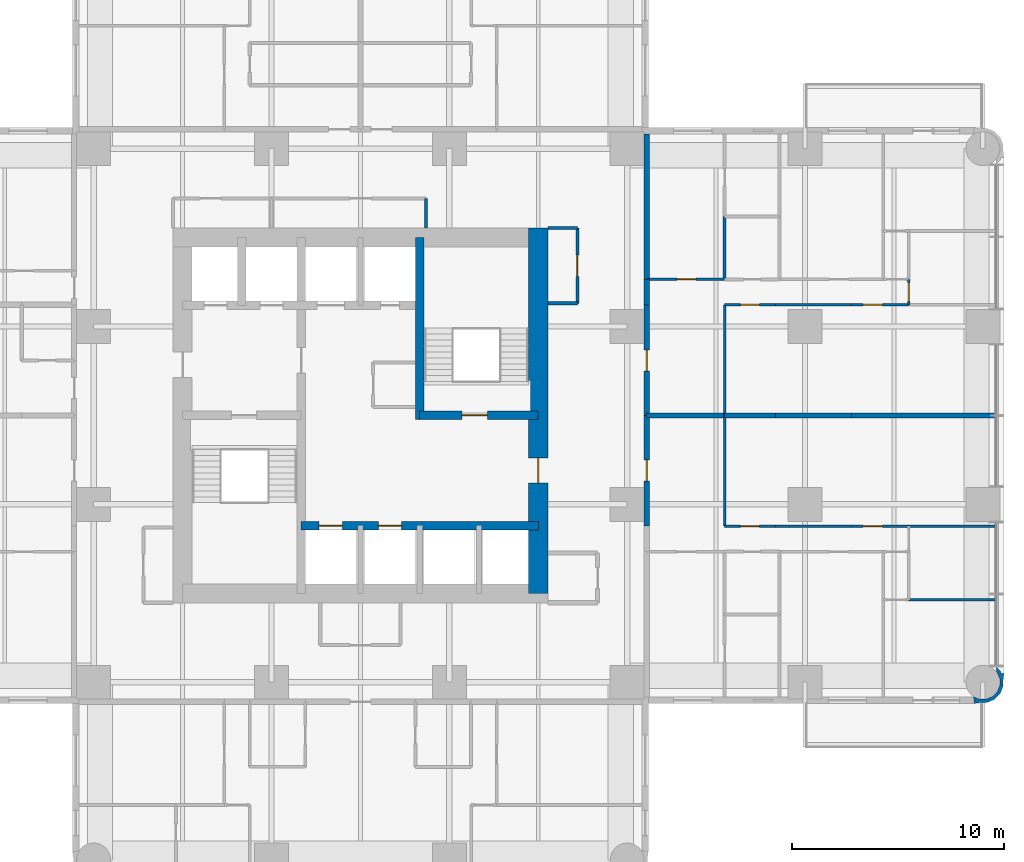
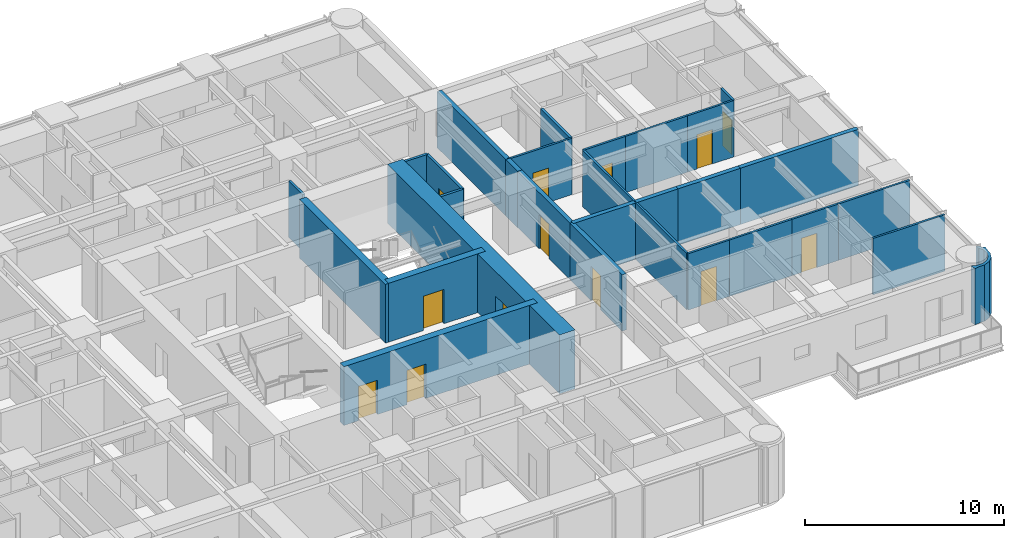
# One storey, part 10 of 15: 30 walls, 13 doors, 13 openings.
"""IFC4 building model written with IfcOpenShell, lengths in metres."""

from ifc_helpers import new_model, si_unit, direction, frame, frame_2d, origin, place, context, subcontext, project, spatial, polyline, rectangle, outline, extrude, material, layer, layer_set, type_object, element, fill, save


model = new_model("IFC4")

# Units and contexts
model_context = context("Model", 3, precision=1e-05, world=origin(), true_north=direction((0.0, 1.0)))
body_context = subcontext(model_context, "Body", "Model", "MODEL_VIEW")
ifc_project = project(units=[si_unit("LENGTHUNIT", "METRE"), si_unit("AREAUNIT", "SQUARE_METRE"), si_unit("VOLUMEUNIT", "CUBIC_METRE"), si_unit("PLANEANGLEUNIT", "RADIAN"), si_unit("MASSUNIT", "GRAM", prefix="KILO")], contexts=[model_context])

# Site, building, storey
site_placement = place(None, origin())
site = spatial("IfcSite", under=ifc_project, at=site_placement, CompositionType="ELEMENT")
building_placement = place(site_placement, origin())
building = spatial("IfcBuilding", under=site, at=building_placement, Name="Torre Alcanfor", CompositionType="ELEMENT")
storey_placement = place(building_placement, frame((0.0, 0.0, 123.300048828125)))
storey = spatial("IfcBuildingStorey", under=building, at=storey_placement, Name="L31", CompositionType="ELEMENT", Elevation=123.300048828125)

# Wall, opening, door
ifc_material_1 = material(Name="Concrete block masonry, hollow blocks NMX-C-404 9 MPa", Category="masonry")
ifc_layer_1 = layer(ifc_material_1, 0.25)
ifc_layer_set_1 = layer_set([ifc_layer_1], Name="Apartment entrance wall 250 EI 60")
wall_type_1 = type_object("IfcWallType", Name="Apartment entrance wall 250 EI 60", PredefinedType="PARTITIONING", material=ifc_layer_set_1)
wall_1_placement = place(storey_placement, frame((42.925048828125, 34.62890625, 0.0), z_axis=(0.0, 0.0, 1.0), x_axis=(0.0, -1.0, 0.0)))
wall_1 = element("IfcWall", 1, at=wall_1_placement, inside=storey, type_object=wall_type_1, Name="Partition L31-CORR / L31-E1-ZAG", PredefinedType="PARTITIONING", context=body_context, shape_type="SweptSolid", body=[
    extrude(rectangle(XDim=5.22900390625, YDim=0.25, at=frame_2d((2.614501953125, 0.0))), origin(), (0.0, 0.0, 1.0), 3.449951171875),
])
opening_1_placement = place(wall_1_placement, frame((2.12890625, 0.0, 0.0)))
opening_1 = element("IfcOpeningElement", 2, at=opening_1_placement, cuts=wall_1, Name="Opening D-A1", PredefinedType="OPENING", context=body_context, shape_type="SweptSolid", body=[
    extrude(rectangle(XDim=1.0, YDim=2.10009765625, at=frame_2d((0.5, 1.050048828125))), frame((0.0, 0.135009765625, 0.0), z_axis=(0.0, -1.0, 0.0), x_axis=(1.0, 0.0, 0.0)), (0.0, 0.0, 1.0), 0.27001953125),
])
ifc_material_2 = material(Name="Galvanised steel sheet ASTM A653", Category="steel")
door_type_1 = type_object("IfcDoorType", Name="Apartment entrance door FD60 1000x2100", OperationType="SINGLE_SWING_LEFT", PredefinedType="DOOR", material=ifc_material_2)
door_1_placement = place(opening_1_placement, origin())
door_1 = element("IfcDoor", 3, at=door_1_placement, inside=storey, type_object=door_type_1, Name="Apartment entrance L31-E1", OperationType="SINGLE_SWING_RIGHT", OverallHeight=2.10009765625, OverallWidth=1.0, PredefinedType="DOOR", context=body_context, shape_type="SweptSolid", body=[
    extrude(rectangle(XDim=1.0, YDim=2.10009765625, at=frame_2d((0.5, 1.050048828125))), frame((0.0, 0.02490234375, 0.0), z_axis=(0.0, -1.0, 0.0), x_axis=(1.0, 0.0, 0.0)), (0.0, 0.0, 1.0), 0.050048828125),
])
fill(opening_1, door_1)

# Walls
wall_2_placement = place(storey_placement, frame((42.925048828125, 35.8291015625, 0.0), z_axis=(0.0, 0.0, 1.0), x_axis=(0.0, -1.0, 0.0)))
element("IfcWall", 4, at=wall_2_placement, inside=storey, type_object=wall_type_1, Name="Partition L31-CORR / L31-E1-HALL", PredefinedType="PARTITIONING", context=body_context, shape_type="SweptSolid", body=[
    extrude(rectangle(XDim=1.2001953125, YDim=0.25, at=frame_2d((0.60009765625, 0.0))), origin(), (0.0, 0.0, 1.0), 3.449951171875),
])
wall_3_placement = place(storey_placement, frame((42.925048828125, 42.699951171875, 0.0), z_axis=(0.0, 0.0, 1.0), x_axis=(0.0, -1.0, 0.0)))
element("IfcWall", 5, at=wall_3_placement, inside=storey, type_object=wall_type_1, Name="Partition L31-CORR / L31-E1-SERV", PredefinedType="PARTITIONING", context=body_context, shape_type="SweptSolid", body=[
    extrude(rectangle(XDim=6.870849609375, YDim=0.25, at=frame_2d((3.435546875, 0.0))), origin(), (0.0, 0.0, 1.0), 3.449951171875),
])

# Wall, opening, door
wall_4_placement = place(storey_placement, frame((42.925048828125, 29.39990234375, 0.0), z_axis=(0.0, 0.0, 1.0), x_axis=(0.0, -1.0, 0.0)))
wall_4 = element("IfcWall", 6, at=wall_4_placement, inside=storey, type_object=wall_type_1, Name="Partition L31-CORR / L31-E2-ZAG", PredefinedType="PARTITIONING", context=body_context, shape_type="SweptSolid", body=[
    extrude(rectangle(XDim=5.22900390625, YDim=0.25, at=frame_2d((2.614501953125, 0.0))), origin(), (0.0, 0.0, 1.0), 3.449951171875),
])
opening_2_placement = place(wall_4_placement, frame((2.10009765625, 0.0, 0.0)))
opening_2 = element("IfcOpeningElement", 7, at=opening_2_placement, cuts=wall_4, Name="Opening D-A1", PredefinedType="OPENING", context=body_context, shape_type="SweptSolid", body=[
    extrude(rectangle(XDim=1.0, YDim=2.10009765625, at=frame_2d((0.5, 1.050048828125))), frame((0.0, 0.135009765625, 0.0), z_axis=(0.0, -1.0, 0.0), x_axis=(1.0, 0.0, 0.0)), (0.0, 0.0, 1.0), 0.27001953125),
])
door_2_placement = place(opening_2_placement, origin())
door_2 = element("IfcDoor", 8, at=door_2_placement, inside=storey, type_object=door_type_1, Name="Apartment entrance L31-E2", OperationType="SINGLE_SWING_LEFT", OverallHeight=2.10009765625, OverallWidth=1.0, PredefinedType="DOOR", context=body_context, shape_type="SweptSolid", body=[
    extrude(rectangle(XDim=1.0, YDim=2.10009765625, at=frame_2d((0.5, 1.050048828125))), frame((0.0, 0.02490234375, 0.0), z_axis=(0.0, -1.0, 0.0), x_axis=(1.0, 0.0, 0.0)), (0.0, 0.0, 1.0), 0.050048828125),
])
fill(opening_2, door_2)

# Wall
ifc_material_3 = material(Name="Gypsum board on steel studs", Category="steel")
ifc_layer_2 = layer(ifc_material_3, 0.1201171875)
ifc_layer_set_2 = layer_set([ifc_layer_2], Name="Apartment partition 120")
wall_type_2 = type_object("IfcWallType", Name="Apartment partition 120", PredefinedType="PARTITIONING", material=ifc_layer_set_2)
wall_5_placement = place(storey_placement, frame((46.60009765625, 29.39990234375, 0.0), z_axis=(0.0, 0.0, 1.0), x_axis=(0.0, 1.0, 0.0)))
element("IfcWall", 9, at=wall_5_placement, inside=storey, type_object=wall_type_2, Name="Partition L31-E1-ZAG / L31-E1-LAUND", PredefinedType="PARTITIONING", context=body_context, shape_type="SweptSolid", body=[
    extrude(rectangle(XDim=5.22900390625, YDim=0.1201171875, at=frame_2d((2.614501953125, 0.0))), origin(), (0.0, 0.0, 1.0), 3.449951171875),
])

# Wall, opening, door
wall_6_placement = place(storey_placement, frame((49.0, 34.62890625, 0.0), z_axis=(0.0, 0.0, 1.0), x_axis=(-1.0, 0.0, 0.0)))
wall_6 = element("IfcWall", 10, at=wall_6_placement, inside=storey, type_object=wall_type_2, Name="Partition L31-E1-LAUND / L31-E1-HALL", PredefinedType="PARTITIONING", context=body_context, shape_type="SweptSolid", body=[
    extrude(rectangle(XDim=2.39990234375, YDim=0.1201171875, at=frame_2d((1.199951171875, 0.0))), origin(), (0.0, 0.0, 1.0), 3.449951171875),
])
opening_3_placement = place(wall_6_placement, frame((0.75, 0.0, 0.0)))
opening_3 = element("IfcOpeningElement", 11, at=opening_3_placement, cuts=wall_6, Name="Opening D-R1", PredefinedType="OPENING", context=body_context, shape_type="SweptSolid", body=[
    extrude(rectangle(XDim=0.89990234375, YDim=2.10009765625, at=frame_2d((0.449951171875, 1.050048828125))), frame((0.0, 0.070068359375, 0.0), z_axis=(0.0, -1.0, 0.0), x_axis=(1.0, 0.0, 0.0)), (0.0, 0.0, 1.0), 0.14013671875),
])
ifc_material_4 = material(Name="Timber", Category="wood")
door_type_2 = type_object("IfcDoorType", Name="Internal door 900x2100", OperationType="SINGLE_SWING_LEFT", PredefinedType="DOOR", material=ifc_material_4)
door_3_placement = place(opening_3_placement, origin())
door_3 = element("IfcDoor", 12, at=door_3_placement, inside=storey, type_object=door_type_2, Name="Door L31-E1 laund", OperationType="SINGLE_SWING_LEFT", OverallHeight=2.10009765625, OverallWidth=0.89990234375, PredefinedType="DOOR", context=body_context, shape_type="SweptSolid", body=[
    extrude(rectangle(XDim=0.89990234375, YDim=2.10009765625, at=frame_2d((0.449951171875, 1.050048828125))), frame((0.0, 0.02490234375, 0.0), z_axis=(0.0, -1.0, 0.0), x_axis=(1.0, 0.0, 0.0)), (0.0, 0.0, 1.0), 0.050048828125),
])
fill(opening_3, door_3)

# Wall
wall_7_placement = place(storey_placement, frame((52.60009765625, 34.62890625, 0.0), z_axis=(0.0, 0.0, 1.0), x_axis=(-1.0, 0.0, 0.0)))
element("IfcWall", 13, at=wall_7_placement, inside=storey, type_object=wall_type_2, Name="Partition L31-E1-KITCHEN / L31-E1-HALL", PredefinedType="PARTITIONING", context=body_context, shape_type="SweptSolid", body=[
    extrude(rectangle(XDim=3.60009765625, YDim=0.1201171875, at=frame_2d((1.800048828125, 0.0))), origin(), (0.0, 0.0, 1.0), 3.449951171875),
])

# Wall, opening, door
wall_8_placement = place(storey_placement, frame((55.300048828125, 34.62890625, 0.0), z_axis=(0.0, 0.0, 1.0), x_axis=(-1.0, 0.0, 0.0)))
wall_8 = element("IfcWall", 14, at=wall_8_placement, inside=storey, type_object=wall_type_2, Name="Partition L31-E1-LIVING / L31-E1-HALL", PredefinedType="PARTITIONING", context=body_context, shape_type="SweptSolid", body=[
    extrude(rectangle(XDim=2.699951171875, YDim=0.1201171875, at=frame_2d((1.35009765625, 0.0))), origin(), (0.0, 0.0, 1.0), 3.449951171875),
])
opening_4_placement = place(wall_8_placement, frame((1.25, 0.0, 0.0)))
opening_4 = element("IfcOpeningElement", 15, at=opening_4_placement, cuts=wall_8, Name="Opening D-R1", PredefinedType="OPENING", context=body_context, shape_type="SweptSolid", body=[
    extrude(rectangle(XDim=0.89990234375, YDim=2.10009765625, at=frame_2d((0.449951171875, 1.050048828125))), frame((0.0, 0.070068359375, 0.0), z_axis=(0.0, -1.0, 0.0), x_axis=(1.0, 0.0, 0.0)), (0.0, 0.0, 1.0), 0.14013671875),
])
door_4_placement = place(opening_4_placement, origin())
door_4 = element("IfcDoor", 16, at=door_4_placement, inside=storey, type_object=door_type_2, Name="Door L31-E1 living", OperationType="SINGLE_SWING_RIGHT", OverallHeight=2.10009765625, OverallWidth=0.89990234375, PredefinedType="DOOR", context=body_context, shape_type="SweptSolid", body=[
    extrude(rectangle(XDim=0.89990234375, YDim=2.10009765625, at=frame_2d((0.449951171875, 1.050048828125))), frame((0.0, 0.02490234375, 0.0), z_axis=(0.0, -1.0, 0.0), x_axis=(1.0, 0.0, 0.0)), (0.0, 0.0, 1.0), 0.050048828125),
])
fill(opening_4, door_4)

wall_9_placement = place(storey_placement, frame((46.60009765625, 35.8291015625, 0.0), z_axis=(0.0, 0.0, 1.0), x_axis=(-1.0, 0.0, 0.0)))
wall_9 = element("IfcWall", 17, at=wall_9_placement, inside=storey, type_object=wall_type_2, Name="Partition L31-E1-HALL / L31-E1-SERV", PredefinedType="PARTITIONING", context=body_context, shape_type="SweptSolid", body=[
    extrude(rectangle(XDim=3.675048828125, YDim=0.1201171875, at=frame_2d((1.83740234375, 0.0))), origin(), (0.0, 0.0, 1.0), 3.449951171875),
])
opening_5_placement = place(wall_9_placement, frame((1.35009765625, 0.0, 0.0)))
opening_5 = element("IfcOpeningElement", 18, at=opening_5_placement, cuts=wall_9, Name="Opening D-R1", PredefinedType="OPENING", context=body_context, shape_type="SweptSolid", body=[
    extrude(rectangle(XDim=0.89990234375, YDim=2.10009765625, at=frame_2d((0.449951171875, 1.050048828125))), frame((0.0, 0.070068359375, 0.0), z_axis=(0.0, -1.0, 0.0), x_axis=(1.0, 0.0, 0.0)), (0.0, 0.0, 1.0), 0.14013671875),
])
door_5_placement = place(opening_5_placement, frame((0.89990234375, 0.0, 0.0), z_axis=(0.0, 0.0, 1.0), x_axis=(-1.0, 0.0, 0.0)))
door_5 = element("IfcDoor", 19, at=door_5_placement, inside=storey, type_object=door_type_2, Name="Door L31-E1 serv", OperationType="SINGLE_SWING_RIGHT", OverallHeight=2.10009765625, OverallWidth=0.89990234375, PredefinedType="DOOR", context=body_context, shape_type="SweptSolid", body=[
    extrude(rectangle(XDim=0.89990234375, YDim=2.10009765625, at=frame_2d((0.449951171875, 1.050048828125))), frame((0.0, 0.025146484375, 0.0), z_axis=(0.0, -1.0, 0.0), x_axis=(1.0, 0.0, 0.0)), (0.0, 0.0, 1.0), 0.050048828125),
])
fill(opening_5, door_5)

wall_10_placement = place(storey_placement, frame((55.300048828125, 34.62890625, 0.0), z_axis=(0.0, 0.0, 1.0), x_axis=(0.0, 1.0, 0.0)))
wall_10 = element("IfcWall", 20, at=wall_10_placement, inside=storey, type_object=wall_type_2, Name="Partition L31-E1-HALL / L31-E1-BED2", PredefinedType="PARTITIONING", context=body_context, shape_type="SweptSolid", body=[
    extrude(rectangle(XDim=1.2001953125, YDim=0.1201171875, at=frame_2d((0.60009765625, 0.0))), origin(), (0.0, 0.0, 1.0), 3.449951171875),
])
opening_6_placement = place(wall_10_placement, frame((0.15087890625, 0.0, 0.0)))
opening_6 = element("IfcOpeningElement", 21, at=opening_6_placement, cuts=wall_10, Name="Opening D-R1", PredefinedType="OPENING", context=body_context, shape_type="SweptSolid", body=[
    extrude(rectangle(XDim=0.89990234375, YDim=2.10009765625, at=frame_2d((0.449951171875, 1.050048828125))), frame((0.0, 0.070068359375, 0.0), z_axis=(0.0, -1.0, 0.0), x_axis=(1.0, 0.0, 0.0)), (0.0, 0.0, 1.0), 0.14013671875),
])
door_6_placement = place(opening_6_placement, frame((0.89990234375, 0.0, 0.0), z_axis=(0.0, 0.0, 1.0), x_axis=(-1.0, 0.0, 0.0)))
door_6 = element("IfcDoor", 22, at=door_6_placement, inside=storey, type_object=door_type_2, Name="Door L31-E1 bed2", OperationType="SINGLE_SWING_RIGHT", OverallHeight=2.10009765625, OverallWidth=0.89990234375, PredefinedType="DOOR", context=body_context, shape_type="SweptSolid", body=[
    extrude(rectangle(XDim=0.89990234375, YDim=2.10009765625, at=frame_2d((0.449951171875, 1.050048828125))), frame((0.0, 0.025146484375, 0.0), z_axis=(0.0, -1.0, 0.0), x_axis=(1.0, 0.0, 0.0)), (0.0, 0.0, 1.0), 0.050048828125),
])
fill(opening_6, door_6)

# Wall
wall_11_placement = place(storey_placement, frame((46.60009765625, 29.39990234375, 0.0), z_axis=(0.0, 0.0, 1.0), x_axis=(0.0, -1.0, 0.0)))
element("IfcWall", 23, at=wall_11_placement, inside=storey, type_object=wall_type_2, Name="Partition L31-E2-ZAG / L31-E2-LAUND", PredefinedType="PARTITIONING", context=body_context, shape_type="SweptSolid", body=[
    extrude(rectangle(XDim=5.22900390625, YDim=0.1201171875, at=frame_2d((2.614501953125, 0.0))), origin(), (0.0, 0.0, 1.0), 3.449951171875),
])

# Wall, opening, door
wall_12_placement = place(storey_placement, frame((49.0, 24.1708984375, 0.0), z_axis=(0.0, 0.0, 1.0), x_axis=(-1.0, 0.0, 0.0)))
wall_12 = element("IfcWall", 24, at=wall_12_placement, inside=storey, type_object=wall_type_2, Name="Partition L31-E2-LAUND / L31-E2-HALL", PredefinedType="PARTITIONING", context=body_context, shape_type="SweptSolid", body=[
    extrude(rectangle(XDim=2.39990234375, YDim=0.1201171875, at=frame_2d((1.199951171875, 0.0))), origin(), (0.0, 0.0, 1.0), 3.449951171875),
])
opening_7_placement = place(wall_12_placement, frame((0.75, 0.0, 0.0)))
opening_7 = element("IfcOpeningElement", 25, at=opening_7_placement, cuts=wall_12, Name="Opening D-R1", PredefinedType="OPENING", context=body_context, shape_type="SweptSolid", body=[
    extrude(rectangle(XDim=0.89990234375, YDim=2.10009765625, at=frame_2d((0.449951171875, 1.050048828125))), frame((0.0, 0.070068359375, 0.0), z_axis=(0.0, -1.0, 0.0), x_axis=(1.0, 0.0, 0.0)), (0.0, 0.0, 1.0), 0.14013671875),
])
door_7_placement = place(opening_7_placement, frame((0.89990234375, 0.0, 0.0), z_axis=(0.0, 0.0, 1.0), x_axis=(-1.0, 0.0, 0.0)))
door_7 = element("IfcDoor", 26, at=door_7_placement, inside=storey, type_object=door_type_2, Name="Door L31-E2 laund", OperationType="SINGLE_SWING_RIGHT", OverallHeight=2.10009765625, OverallWidth=0.89990234375, PredefinedType="DOOR", context=body_context, shape_type="SweptSolid", body=[
    extrude(rectangle(XDim=0.89990234375, YDim=2.10009765625, at=frame_2d((0.449951171875, 1.050048828125))), frame((0.0, 0.025146484375, 0.0), z_axis=(0.0, -1.0, 0.0), x_axis=(1.0, 0.0, 0.0)), (0.0, 0.0, 1.0), 0.050048828125),
])
fill(opening_7, door_7)

# Wall
wall_13_placement = place(storey_placement, frame((52.60009765625, 24.1708984375, 0.0), z_axis=(0.0, 0.0, 1.0), x_axis=(-1.0, 0.0, 0.0)))
element("IfcWall", 27, at=wall_13_placement, inside=storey, type_object=wall_type_2, Name="Partition L31-E2-KITCHEN / L31-E2-HALL", PredefinedType="PARTITIONING", context=body_context, shape_type="SweptSolid", body=[
    extrude(rectangle(XDim=3.60009765625, YDim=0.1201171875, at=frame_2d((1.800048828125, 0.0))), origin(), (0.0, 0.0, 1.0), 3.449951171875),
])

# Wall, opening, door
wall_14_placement = place(storey_placement, frame((55.300048828125, 24.1708984375, 0.0), z_axis=(0.0, 0.0, 1.0), x_axis=(-1.0, 0.0, 0.0)))
wall_14 = element("IfcWall", 28, at=wall_14_placement, inside=storey, type_object=wall_type_2, Name="Partition L31-E2-LIVING / L31-E2-HALL", PredefinedType="PARTITIONING", context=body_context, shape_type="SweptSolid", body=[
    extrude(rectangle(XDim=2.699951171875, YDim=0.1201171875, at=frame_2d((1.35009765625, 0.0))), origin(), (0.0, 0.0, 1.0), 3.449951171875),
])
opening_8_placement = place(wall_14_placement, frame((1.25, 0.0, 0.0)))
opening_8 = element("IfcOpeningElement", 29, at=opening_8_placement, cuts=wall_14, Name="Opening D-R1", PredefinedType="OPENING", context=body_context, shape_type="SweptSolid", body=[
    extrude(rectangle(XDim=0.89990234375, YDim=2.10009765625, at=frame_2d((0.449951171875, 1.050048828125))), frame((0.0, 0.070068359375, 0.0), z_axis=(0.0, -1.0, 0.0), x_axis=(1.0, 0.0, 0.0)), (0.0, 0.0, 1.0), 0.14013671875),
])
door_8_placement = place(opening_8_placement, frame((0.89990234375, 0.0, 0.0), z_axis=(0.0, 0.0, 1.0), x_axis=(-1.0, 0.0, 0.0)))
door_8 = element("IfcDoor", 30, at=door_8_placement, inside=storey, type_object=door_type_2, Name="Door L31-E2 living", OperationType="SINGLE_SWING_LEFT", OverallHeight=2.10009765625, OverallWidth=0.89990234375, PredefinedType="DOOR", context=body_context, shape_type="SweptSolid", body=[
    extrude(rectangle(XDim=0.89990234375, YDim=2.10009765625, at=frame_2d((0.449951171875, 1.050048828125))), frame((0.0, 0.025146484375, 0.0), z_axis=(0.0, -1.0, 0.0), x_axis=(1.0, 0.0, 0.0)), (0.0, 0.0, 1.0), 0.050048828125),
])
fill(opening_8, door_8)

# Walls
for number, where, z_axis, x_axis, name in (
    (31, (59.449951171875, 24.1708984375, 0.0), (0.0, 0.0, 1.0), (-1.0, 0.0, 0.0), "Partition L31-E2-LIVING / L31-E2-BED2"),
    (32, (59.449951171875, 20.68603515625, 0.0), (0.0, 0.0, 1.0), (-1.0, 0.0, 0.0), "Partition L31-E2-BED2 / L31-E2-MASTER"),
):
    element("IfcWall", number, at=place(storey_placement, frame(where, z_axis=z_axis, x_axis=x_axis)), inside=storey, type_object=wall_type_2, Name=name, PredefinedType="PARTITIONING", context=body_context, shape_type="SweptSolid", body=[
        extrude(rectangle(XDim=4.14990234375, YDim=0.1201171875, at=frame_2d((2.074951171875, 0.0))), origin(), (0.0, 0.0, 1.0), 3.449951171875),
    ])

# Wall, openings, doors
ifc_material_5 = material(Name="Concrete f'c 70 MPa", Category="concrete")
ifc_layer_3 = layer(ifc_material_5, 0.39990234375)
ifc_layer_set_3 = layer_set([ifc_layer_3], Name="Core inner wall 400 f'c70")
wall_type_3 = type_object("IfcWallType", Name="Core inner wall 400 f'c70", PredefinedType="SHEAR", material=ifc_layer_set_3)
wall_15_placement = place(storey_placement, frame((26.60009765625, 24.199951171875, 0.0), z_axis=(0.0, 0.0, 1.0), x_axis=(1.0, 0.0, 0.0)))
wall_15 = element("IfcWall", 33, at=wall_15_placement, inside=storey, type_object=wall_type_3, Name="Core wall Y242 L31", PredefinedType="SHEAR", context=body_context, shape_type="SweptSolid", body=[
    extrude(rectangle(XDim=11.199951171875, YDim=0.39990234375, at=frame_2d((5.60009765625, 0.0))), origin(), (0.0, 0.0, 1.0), 3.599853515625),
])
opening_9_placement = place(wall_15_placement, frame((0.85009765625, 0.0, 0.0)))
opening_9 = element("IfcOpeningElement", 34, at=opening_9_placement, cuts=wall_15, Name="Opening LD1", PredefinedType="OPENING", context=body_context, shape_type="SweptSolid", body=[
    extrude(rectangle(XDim=1.10009765625, YDim=2.10009765625, at=frame_2d((0.550048828125, 1.050048828125))), frame((0.0, 0.2099609375, 0.0), z_axis=(0.0, -1.0, 0.0), x_axis=(1.0, 0.0, 0.0)), (0.0, 0.0, 1.0), 0.419921875),
])
opening_10_placement = place(wall_15_placement, frame((3.64990234375, 0.0, 0.0)))
opening_10 = element("IfcOpeningElement", 35, at=opening_10_placement, cuts=wall_15, Name="Opening LD1", PredefinedType="OPENING", context=body_context, shape_type="SweptSolid", body=[
    extrude(rectangle(XDim=1.10009765625, YDim=2.10009765625, at=frame_2d((0.550048828125, 1.050048828125))), frame((0.0, 0.2099609375, 0.0), z_axis=(0.0, -1.0, 0.0), x_axis=(1.0, 0.0, 0.0)), (0.0, 0.0, 1.0), 0.419921875),
])
ifc_material_6 = material(Name="Galvanised steel sheet ASTM A653", Category="steel")
door_type_3 = type_object("IfcDoorType", Name="Lift landing door 1100x2100", OperationType="DOUBLE_DOOR_SLIDING", PredefinedType="DOOR", material=ifc_material_6)
door_9_placement = place(opening_9_placement, origin())
door_9 = element("IfcDoor", 36, at=door_9_placement, inside=storey, type_object=door_type_3, Name="Lift landing door PA1 L31", OperationType="DOUBLE_DOOR_SLIDING", OverallHeight=2.10009765625, OverallWidth=1.10009765625, PredefinedType="DOOR", context=body_context, shape_type="SweptSolid", body=[
    extrude(rectangle(XDim=1.10009765625, YDim=2.10009765625, at=frame_2d((0.550048828125, 1.050048828125))), frame((0.0, 0.02490234375, 0.0), z_axis=(0.0, -1.0, 0.0), x_axis=(1.0, 0.0, 0.0)), (0.0, 0.0, 1.0), 0.050048828125),
])
fill(opening_9, door_9)
door_10_placement = place(opening_10_placement, origin())
door_10 = element("IfcDoor", 37, at=door_10_placement, inside=storey, type_object=door_type_3, Name="Lift landing door PA2 L31", OperationType="DOUBLE_DOOR_SLIDING", OverallHeight=2.10009765625, OverallWidth=1.10009765625, PredefinedType="DOOR", context=body_context, shape_type="SweptSolid", body=[
    extrude(rectangle(XDim=1.10009765625, YDim=2.10009765625, at=frame_2d((0.550048828125, 1.050048828125))), frame((0.0, 0.02490234375, 0.0), z_axis=(0.0, -1.0, 0.0), x_axis=(1.0, 0.0, 0.0)), (0.0, 0.0, 1.0), 0.050048828125),
])
fill(opening_10, door_10)

# Wall
wall_16_placement = place(storey_placement, frame((32.199951171875, 29.199951171875, 0.0), z_axis=(0.0, 0.0, 1.0), x_axis=(0.0, 1.0, 0.0)))
element("IfcWall", 38, at=wall_16_placement, inside=storey, type_object=wall_type_3, Name="Core wall X322N L31", PredefinedType="SHEAR", context=body_context, shape_type="SweptSolid", body=[
    extrude(rectangle(XDim=8.60009765625, YDim=0.39990234375, at=frame_2d((4.300048828125, 0.0))), origin(), (0.0, 0.0, 1.0), 3.599853515625),
])

# Wall, opening, door
wall_17_placement = place(storey_placement, frame((32.199951171875, 29.39990234375, 0.0), z_axis=(0.0, 0.0, 1.0), x_axis=(1.0, 0.0, 0.0)))
wall_17 = element("IfcWall", 39, at=wall_17_placement, inside=storey, type_object=wall_type_3, Name="Core wall Y294E L31", PredefinedType="SHEAR", context=body_context, shape_type="SweptSolid", body=[
    extrude(rectangle(XDim=5.60009765625, YDim=0.39990234375, at=frame_2d((2.800048828125, 0.0))), origin(), (0.0, 0.0, 1.0), 3.599853515625),
])
opening_11_placement = place(wall_17_placement, frame((2.0, 0.0, 0.0)))
opening_11 = element("IfcOpeningElement", 40, at=opening_11_placement, cuts=wall_17, Name="Opening D-S2", PredefinedType="OPENING", context=body_context, shape_type="SweptSolid", body=[
    extrude(rectangle(XDim=1.199951171875, YDim=2.10009765625, at=frame_2d((0.60009765625, 1.050048828125))), frame((0.0, 0.2099609375, 0.0), z_axis=(0.0, -1.0, 0.0), x_axis=(1.0, 0.0, 0.0)), (0.0, 0.0, 1.0), 0.419921875),
])
ifc_material_7 = material(Name="Galvanised steel sheet ASTM A653", Category="steel")
door_type_4 = type_object("IfcDoorType", Name="Stair enclosure door FD120 1200x2100", OperationType="SINGLE_SWING_LEFT", PredefinedType="DOOR", material=ifc_material_7)
door_11_placement = place(opening_11_placement, origin())
door_11 = element("IfcDoor", 41, at=door_11_placement, inside=storey, type_object=door_type_4, Name="Stair S2 door L31", OperationType="SINGLE_SWING_LEFT", OverallHeight=2.10009765625, OverallWidth=1.199951171875, PredefinedType="DOOR", context=body_context, shape_type="SweptSolid", body=[
    extrude(rectangle(XDim=1.199951171875, YDim=2.10009765625, at=frame_2d((0.60009765625, 1.050048828125))), frame((0.0, 0.02490234375, 0.0), z_axis=(0.0, -1.0, 0.0), x_axis=(1.0, 0.0, 0.0)), (0.0, 0.0, 1.0), 0.050048828125),
])
fill(opening_11, door_11)

ifc_material_8 = material(Name="Concrete f'c 70 MPa", Category="concrete")
ifc_layer_4 = layer(ifc_material_8, 0.89990234375)
ifc_layer_set_4 = layer_set([ifc_layer_4], Name="Core wall 900 f'c70")
wall_type_4 = type_object("IfcWallType", Name="Core wall 900 f'c70", PredefinedType="SHEAR", material=ifc_layer_set_4)
wall_18_placement = place(storey_placement, frame((37.800048828125, 21.0, 0.0), z_axis=(0.0, 0.0, 1.0), x_axis=(0.0, 1.0, 0.0)))
wall_18 = element("IfcWall", 42, at=wall_18_placement, inside=storey, type_object=wall_type_4, Name="Core wall OUT-E L31", PredefinedType="SHEAR", context=body_context, shape_type="SweptSolid", body=[
    extrude(rectangle(XDim=17.25, YDim=0.89990234375, at=frame_2d((8.625, 0.0))), origin(), (0.0, 0.0, 1.0), 3.599853515625),
])
opening_12_placement = place(wall_18_placement, frame((5.199951171875, 0.0, 0.0)))
opening_12 = element("IfcOpeningElement", 43, at=opening_12_placement, cuts=wall_18, Name="Opening D-L1", PredefinedType="OPENING", context=body_context, shape_type="SweptSolid", body=[
    extrude(rectangle(XDim=1.199951171875, YDim=2.10009765625, at=frame_2d((0.60009765625, 1.050048828125))), frame((0.0, 0.4599609375, 0.0), z_axis=(0.0, -1.0, 0.0), x_axis=(1.0, 0.0, 0.0)), (0.0, 0.0, 1.0), 0.919921875),
])
ifc_material_9 = material(Name="Galvanised steel sheet ASTM A653", Category="steel")
door_type_5 = type_object("IfcDoorType", Name="Lobby door FD120 1200x2100", OperationType="SINGLE_SWING_LEFT", PredefinedType="DOOR", material=ifc_material_9)
door_12_placement = place(opening_12_placement, origin())
door_12 = element("IfcDoor", 44, at=door_12_placement, inside=storey, type_object=door_type_5, Name="Lift lobby entrance door L31", OperationType="SINGLE_SWING_LEFT", OverallHeight=2.10009765625, OverallWidth=1.199951171875, PredefinedType="DOOR", context=body_context, shape_type="SweptSolid", body=[
    extrude(rectangle(XDim=1.199951171875, YDim=2.10009765625, at=frame_2d((0.60009765625, 1.050048828125))), frame((0.0, 0.02490234375, 0.0), z_axis=(0.0, -1.0, 0.0), x_axis=(1.0, 0.0, 0.0)), (0.0, 0.0, 1.0), 0.050048828125),
])
fill(opening_12, door_12)

# Walls
ifc_material_10 = material(Name="Concrete block masonry, hollow blocks NMX-C-404 9 MPa", Category="masonry")
ifc_layer_5 = layer(ifc_material_10, 0.25)
ifc_layer_set_5 = layer_set([ifc_layer_5], Name="Party wall 250 EI 60")
wall_type_5 = type_object("IfcWallType", Name="Party wall 250 EI 60", PredefinedType="PARTITIONING", material=ifc_layer_set_5)
wall_19_placement = place(storey_placement, frame((42.925048828125, 29.39990234375, 0.0), z_axis=(0.0, 0.0, 1.0), x_axis=(1.0, 0.0, 0.0)))
element("IfcWall", 45, at=wall_19_placement, inside=storey, type_object=wall_type_5, Name="Partition L31-E1-ZAG / L31-E2-ZAG", PredefinedType="PARTITIONING", context=body_context, shape_type="SweptSolid", body=[
    extrude(rectangle(XDim=3.675048828125, YDim=0.25, at=frame_2d((1.83740234375, 0.0))), origin(), (0.0, 0.0, 1.0), 3.449951171875),
])
wall_20_placement = place(storey_placement, frame((46.60009765625, 29.39990234375, 0.0), z_axis=(0.0, 0.0, 1.0), x_axis=(1.0, 0.0, 0.0)))
element("IfcWall", 46, at=wall_20_placement, inside=storey, type_object=wall_type_5, Name="Partition L31-E1-LAUND / L31-E2-LAUND", PredefinedType="PARTITIONING", context=body_context, shape_type="SweptSolid", body=[
    extrude(rectangle(XDim=2.39990234375, YDim=0.25, at=frame_2d((1.199951171875, 0.0))), origin(), (0.0, 0.0, 1.0), 3.449951171875),
])
wall_21_placement = place(storey_placement, frame((49.0, 29.39990234375, 0.0), z_axis=(0.0, 0.0, 1.0), x_axis=(1.0, 0.0, 0.0)))
element("IfcWall", 47, at=wall_21_placement, inside=storey, type_object=wall_type_5, Name="Partition L31-E1-KITCHEN / L31-E2-KITCHEN", PredefinedType="PARTITIONING", context=body_context, shape_type="SweptSolid", body=[
    extrude(rectangle(XDim=3.60009765625, YDim=0.25, at=frame_2d((1.800048828125, 0.0))), origin(), (0.0, 0.0, 1.0), 3.449951171875),
])
wall_22_placement = place(storey_placement, frame((52.60009765625, 29.39990234375, 0.0), z_axis=(0.0, 0.0, 1.0), x_axis=(1.0, 0.0, 0.0)))
element("IfcWall", 48, at=wall_22_placement, inside=storey, type_object=wall_type_5, Name="Partition L31-E1-LIVING / L31-E2-LIVING", PredefinedType="PARTITIONING", context=body_context, shape_type="SweptSolid", body=[
    extrude(rectangle(XDim=6.849853515625, YDim=0.25, at=frame_2d((3.4248046875, 0.0))), origin(), (0.0, 0.0, 1.0), 3.449951171875),
])
ifc_material_11 = material(Name="Concrete block masonry, hollow blocks NMX-C-404 9 MPa", Category="masonry")
ifc_layer_6 = layer(ifc_material_11, 0.14990234375)
ifc_layer_set_6 = layer_set([ifc_layer_6], Name="Residents' room partition 150")
wall_type_6 = type_object("IfcWallType", Name="Residents' room partition 150", PredefinedType="PARTITIONING", material=ifc_layer_set_6)
for number, where, z_axis, x_axis, name in (
    (49, (32.5, 38.25, 0.0), (0.0, 0.0, 1.0), (0.0, 1.0, 0.0), "Partition L31-CORR / L31-G02"),
    (50, (38.25, 34.699951171875, 0.0), (0.0, 0.0, 1.0), (1.0, 0.0, 0.0), "Partition L31-CORR / L31-G04"),
):
    element("IfcWall", number, at=place(storey_placement, frame(where, z_axis=z_axis, x_axis=x_axis)), inside=storey, type_object=wall_type_6, Name=name, PredefinedType="PARTITIONING", context=body_context, shape_type="SweptSolid", body=[
        extrude(rectangle(XDim=1.39990234375, YDim=0.14990234375, at=frame_2d((0.699951171875, 0.0))), origin(), (0.0, 0.0, 1.0), 3.449951171875),
    ])

# Wall, opening, door
wall_23_placement = place(storey_placement, frame((39.64990234375, 34.699951171875, 0.0), z_axis=(0.0, 0.0, 1.0), x_axis=(0.0, 1.0, 0.0)))
wall_23 = element("IfcWall", 51, at=wall_23_placement, inside=storey, type_object=wall_type_6, Name="Partition L31-CORR / L31-G04", PredefinedType="PARTITIONING", context=body_context, shape_type="SweptSolid", body=[
    extrude(rectangle(XDim=3.550048828125, YDim=0.14990234375, at=frame_2d((1.77490234375, 0.0))), origin(), (0.0, 0.0, 1.0), 3.449951171875),
])
opening_13_placement = place(wall_23_placement, frame((1.27490234375, 0.0, 0.0)))
opening_13 = element("IfcOpeningElement", 52, at=opening_13_placement, cuts=wall_23, Name="Opening D-M1", PredefinedType="OPENING", context=body_context, shape_type="SweptSolid", body=[
    extrude(rectangle(XDim=1.0, YDim=2.10009765625, at=frame_2d((0.5, 1.050048828125))), frame((0.0, 0.0849609375, 0.0), z_axis=(0.0, -1.0, 0.0), x_axis=(1.0, 0.0, 0.0)), (0.0, 0.0, 1.0), 0.169921875),
])
ifc_material_12 = material(Name="Timber", Category="wood")
door_type_6 = type_object("IfcDoorType", Name="Residents' room door 1000x2100", OperationType="SINGLE_SWING_LEFT", PredefinedType="DOOR", material=ifc_material_12)
door_13_placement = place(opening_13_placement, origin())
door_13 = element("IfcDoor", 53, at=door_13_placement, inside=storey, type_object=door_type_6, Name="Door L31-G04 pram and buggy store", OperationType="SINGLE_SWING_LEFT", OverallHeight=2.10009765625, OverallWidth=1.0, PredefinedType="DOOR", context=body_context, shape_type="SweptSolid", body=[
    extrude(rectangle(XDim=1.0, YDim=2.10009765625, at=frame_2d((0.5, 1.050048828125))), frame((0.0, 0.02490234375, 0.0), z_axis=(0.0, -1.0, 0.0), x_axis=(1.0, 0.0, 0.0)), (0.0, 0.0, 1.0), 0.050048828125),
])
fill(opening_13, door_13)

# Walls
wall_24_placement = place(storey_placement, frame((39.64990234375, 38.25, 0.0), z_axis=(0.0, 0.0, 1.0), x_axis=(-1.0, 0.0, 0.0)))
element("IfcWall", 54, at=wall_24_placement, inside=storey, type_object=wall_type_6, Name="Partition L31-CORR / L31-G04", PredefinedType="PARTITIONING", context=body_context, shape_type="SweptSolid", body=[
    extrude(rectangle(XDim=1.39990234375, YDim=0.14990234375, at=frame_2d((0.699951171875, 0.0))), origin(), (0.0, 0.0, 1.0), 3.449951171875),
])
ifc_material_13 = material(Name="Limestone cladding", Category="masonry")
ifc_layer_7 = layer(ifc_material_13, 0.0400390625, Name="Facing")
ifc_material_14 = material(Name="Ventilated air cavity")
ifc_layer_8 = layer(ifc_material_14, 0.02001953125, ventilated=True, Name="Ventilated joint")
ifc_material_15 = material(Name="Mineral wool insulation", Category="insulation")
ifc_layer_9 = layer(ifc_material_15, 0.10009765625, Name="Insulation")
ifc_material_16 = material(Name="Concrete f'c 35 MPa", Category="concrete")
ifc_layer_10 = layer(ifc_material_16, 0.139892578125, Name="Backing")
ifc_layer_set_7 = layer_set([ifc_layer_7, ifc_layer_8, ifc_layer_9, ifc_layer_10], Name="Rounded corner pier stone-clad 300")
wall_type_7 = type_object("IfcWallType", Name="Rounded corner pier stone-clad 300", PredefinedType="SOLIDWALL", material=ifc_layer_set_7)
wall_25_placement = place(storey_placement, frame((58.473176205, 15.982940512, 0.0), z_axis=(0.0, 0.0, 1.0), x_axis=(0.93923434088, -0.343276641956, 0.0)))
element("IfcWall", 55, at=wall_25_placement, inside=storey, type_object=wall_type_7, Name="Corner pier L31 17", PredefinedType="SOLIDWALL", context=body_context, shape_type="SweptSolid", body=[
    extrude(outline(polyline([(0.8284730010654036, 1.5985425833407376), (0.696550254150438, 1.5690420941096577), (0.604150309609554, 1.6696580493968027), (0.3940514645210207, 1.7672868618913617), (0.47123842429676593, 1.5560967183488668), (0.5084988752141064, 1.538782517623304), (0.7242236800575332, 1.304144262222244), (0.8335928250166512, 1.004900899222292), (0.8200123708562836, 0.6864548699061994), (0.6857181921193565, 0.39745154052212156), (0.4509961289443815, 0.18195604093769838), (0.15175276594442946, 0.07258689597858048), (-0.11627514476265094, 0.08405951949541965), (-0.12738305855443924, 0.07818018621272643), (-0.1459567845337466, 0.07139175652560875), (-0.006038883692560254, -0.1969313551897346), (0.2657016888450987, -0.05498461418889633), (0.5353646734335612, 0.04357332793518234), (0.8165937238928549, 0.3018001061266741), (0.9775139424010254, 0.6481031205348973), (0.9937655592370759, 1.0296500763704852), (0.8951238093390822, 1.2995423662179517), (0.8284730010654036, 1.5985425833407376)])), origin(), (0.0, 0.0, 1.0), 3.449951171875),
])
ifc_material_17 = material(Name="Cement board on steel studs", Category="steel")
ifc_layer_11 = layer(ifc_material_17, 0.14990234375)
ifc_layer_set_8 = layer_set([ifc_layer_11], Name="Wet area partition 150")
wall_type_8 = type_object("IfcWallType", Name="Wet area partition 150", PredefinedType="PARTITIONING", material=ifc_layer_set_8)
wall_26_placement = place(storey_placement, frame((46.60009765625, 35.8291015625, 0.0), z_axis=(0.0, 0.0, 1.0), x_axis=(0.0, 1.0, 0.0)))
element("IfcWall", 56, at=wall_26_placement, inside=storey, type_object=wall_type_8, Name="Partition L31-E1-SERV / L31-E1-BATH1", PredefinedType="PARTITIONING", context=body_context, shape_type="SweptSolid", body=[
    extrude(rectangle(XDim=2.970947265625, YDim=0.14990234375, at=frame_2d((1.4853515625, 0.0))), origin(), (0.0, 0.0, 1.0), 3.449951171875),
])

save(model, "model.ifc")
